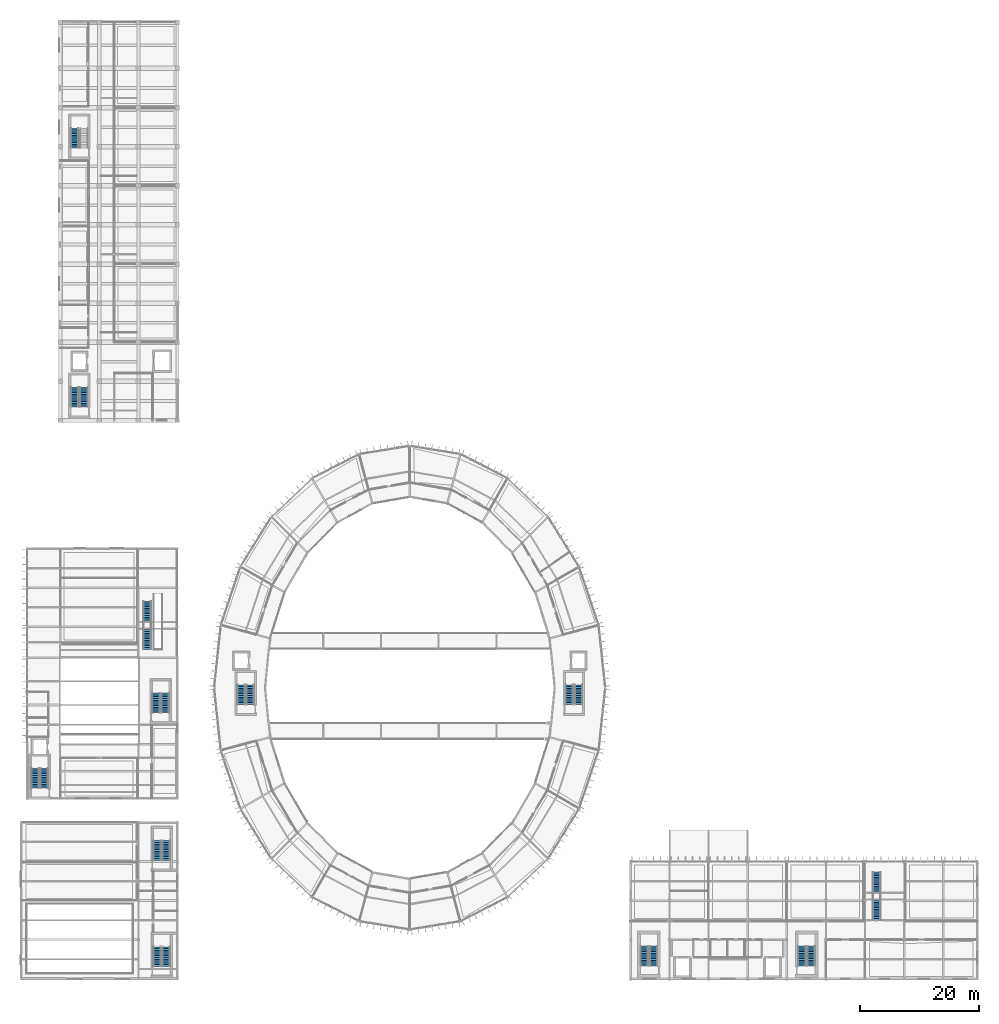
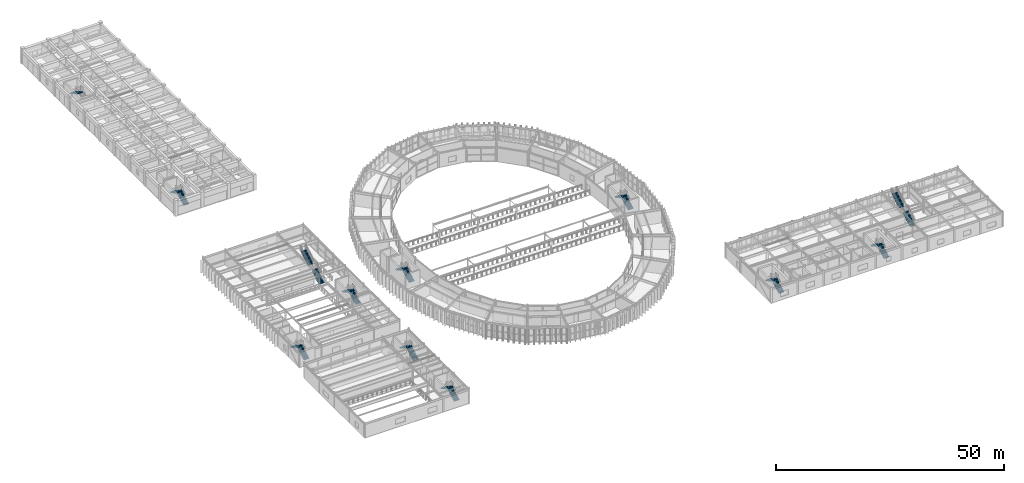
# One storey, part 131 of 148: 23 stair flights, 12 elements without a shape of their own.
"""IFC4 building model written with IfcOpenShell, lengths in metres."""

from ifc_helpers import new_model, si_unit, direction, frame, origin, place, context, subcontext, project, spatial, polyline, outline, extrude, material, type_object, element, aggregate, save


model = new_model("IFC4")

# Units and contexts
model_context = context("Model", 3, precision=1e-05, world=origin(), true_north=direction((0.0, 1.0)))
body_context = subcontext(model_context, "Body", "Model", "MODEL_VIEW")
ifc_project = project(units=[si_unit("LENGTHUNIT", "METRE"), si_unit("AREAUNIT", "SQUARE_METRE"), si_unit("VOLUMEUNIT", "CUBIC_METRE"), si_unit("PLANEANGLEUNIT", "RADIAN"), si_unit("MASSUNIT", "GRAM", prefix="KILO")], contexts=[model_context])

# Site, building, storey
site_placement = place(None, origin())
site = spatial("IfcSite", under=ifc_project, at=site_placement, CompositionType="ELEMENT")
building_placement = place(site_placement, origin())
building = spatial("IfcBuilding", under=site, at=building_placement, Name="Karori Crest Natural Sciences Institute", CompositionType="ELEMENT")
storey_placement = place(building_placement, frame((0.0, 0.0, 4.89990234375)))
storey = spatial("IfcBuildingStorey", under=building, at=storey_placement, Name="L01", CompositionType="ELEMENT", Elevation=4.89990234375)

# Stair, stair flights
ifc_material = material(Name="Concrete 40 MPa", Category="concrete")
stair_type_1 = type_object("IfcStairType", Name="STT-01", PredefinedType="HALF_TURN_STAIR", material=ifc_material)
stair_1_placement = place(storey_placement, origin())
stair_1 = element("IfcStair", 1, at=stair_1_placement, inside=storey, type_object=stair_type_1, Name="Protected stair ST-01-L01", PredefinedType="HALF_TURN_STAIR")
stair_flight_type = type_object("IfcStairFlightType", Name="SFT-01", PredefinedType="STRAIGHT", material=ifc_material)
stair_flight_1_placement = place(storey_placement, frame((94.875, 47.10009765625, 0.0), z_axis=(0.0, 0.0, 1.0), x_axis=(0.0, 1.0, 0.0)))
stair_flight_1 = element("IfcStairFlight", 2, at=stair_flight_1_placement, type_object=stair_flight_type, Name="ST-01-L01 flight 1", NumberOfRisers=12, NumberOfTreads=11, PredefinedType="STRAIGHT", RiserHeight=0.175, TreadLength=0.3, context=body_context, shape_type="SweptSolid", body=[
    extrude(outline(polyline([(0.0, 0.0), (0.0, 0.175048828125), (0.300048828125, 0.175048828125), (0.300048828125, 0.35009765625), (0.60009765625, 0.35009765625), (0.60009765625, 0.52490234375), (0.89990234375, 0.52490234375), (0.89990234375, 0.699951171875), (1.199951171875, 0.699951171875), (1.199951171875, 0.875), (1.5, 0.875), (1.5, 1.050048828125), (1.800048828125, 1.050048828125), (1.800048828125, 1.22509765625), (2.10009765625, 1.22509765625), (2.10009765625, 1.39990234375), (2.39990234375, 1.39990234375), (2.39990234375, 1.574951171875), (2.699951171875, 1.574951171875), (2.699951171875, 1.75), (3.0, 1.75), (3.0, 1.925048828125), (3.300048828125, 1.925048828125), (3.300048828125, 2.10009765625), (3.300048828125, 1.739990234375), (0.3173828125, 0.0), (0.0, 0.0)])), frame((0.0, 0.675048828125, 0.0), z_axis=(0.0, -1.0, 0.0), x_axis=(1.0, 0.0, 0.0)), (0.0, 0.0, 1.0), 1.35009765625),
])
stair_flight_2_placement = place(storey_placement, frame((93.324951171875, 50.39990234375, 2.10009765625), z_axis=(0.0, 0.0, 1.0), x_axis=(0.0, -1.0, 0.0)))
stair_flight_2 = element("IfcStairFlight", 3, at=stair_flight_2_placement, type_object=stair_flight_type, Name="ST-01-L01 flight 2", NumberOfRisers=12, NumberOfTreads=11, PredefinedType="STRAIGHT", RiserHeight=0.175, TreadLength=0.3, context=body_context, shape_type="SweptSolid", body=[
    extrude(outline(polyline([(0.0, 0.0), (0.0, 0.175048828125), (0.300048828125, 0.175048828125), (0.300048828125, 0.35009765625), (0.60009765625, 0.35009765625), (0.60009765625, 0.52490234375), (0.89990234375, 0.52490234375), (0.89990234375, 0.699951171875), (1.199951171875, 0.699951171875), (1.199951171875, 0.875), (1.5, 0.875), (1.5, 1.050048828125), (1.800048828125, 1.050048828125), (1.800048828125, 1.22509765625), (2.10009765625, 1.22509765625), (2.10009765625, 1.39990234375), (2.39990234375, 1.39990234375), (2.39990234375, 1.574951171875), (2.699951171875, 1.574951171875), (2.699951171875, 1.75), (3.0, 1.75), (3.0, 1.925048828125), (3.300048828125, 1.925048828125), (3.300048828125, 2.10009765625), (3.300048828125, 1.739990234375), (0.3173828125, 0.0), (0.0, 0.0)])), frame((0.0, 0.675048828125, 0.0), z_axis=(0.0, -1.0, 0.0), x_axis=(1.0, 0.0, 0.0)), (0.0, 0.0, 1.0), 1.35009765625),
])
aggregate(stair_1, [stair_flight_1, stair_flight_2])

stair_2_placement = place(storey_placement, origin())
stair_2 = element("IfcStair", 4, at=stair_2_placement, inside=storey, type_object=stair_type_1, Name="Protected stair ST-02-L01", PredefinedType="HALF_TURN_STAIR")
stair_flight_3_placement = place(storey_placement, frame((39.47509765625, 47.10009765625, 0.0), z_axis=(0.0, 0.0, 1.0), x_axis=(0.0, 1.0, 0.0)))
stair_flight_3 = element("IfcStairFlight", 5, at=stair_flight_3_placement, type_object=stair_flight_type, Name="ST-02-L01 flight 1", NumberOfRisers=12, NumberOfTreads=11, PredefinedType="STRAIGHT", RiserHeight=0.175, TreadLength=0.3, context=body_context, shape_type="SweptSolid", body=[
    extrude(outline(polyline([(0.0, 0.0), (0.0, 0.175048828125), (0.300048828125, 0.175048828125), (0.300048828125, 0.35009765625), (0.60009765625, 0.35009765625), (0.60009765625, 0.52490234375), (0.89990234375, 0.52490234375), (0.89990234375, 0.699951171875), (1.199951171875, 0.699951171875), (1.199951171875, 0.875), (1.5, 0.875), (1.5, 1.050048828125), (1.800048828125, 1.050048828125), (1.800048828125, 1.22509765625), (2.10009765625, 1.22509765625), (2.10009765625, 1.39990234375), (2.39990234375, 1.39990234375), (2.39990234375, 1.574951171875), (2.699951171875, 1.574951171875), (2.699951171875, 1.75), (3.0, 1.75), (3.0, 1.925048828125), (3.300048828125, 1.925048828125), (3.300048828125, 2.10009765625), (3.300048828125, 1.739990234375), (0.3173828125, 0.0), (0.0, 0.0)])), frame((0.0, 0.675048828125, 0.0), z_axis=(0.0, -1.0, 0.0), x_axis=(1.0, 0.0, 0.0)), (0.0, 0.0, 1.0), 1.35009765625),
])
stair_flight_4_placement = place(storey_placement, frame((37.925048828125, 50.39990234375, 2.10009765625), z_axis=(0.0, 0.0, 1.0), x_axis=(0.0, -1.0, 0.0)))
stair_flight_4 = element("IfcStairFlight", 6, at=stair_flight_4_placement, type_object=stair_flight_type, Name="ST-02-L01 flight 2", NumberOfRisers=12, NumberOfTreads=11, PredefinedType="STRAIGHT", RiserHeight=0.175, TreadLength=0.3, context=body_context, shape_type="SweptSolid", body=[
    extrude(outline(polyline([(0.0, 0.0), (0.0, 0.175048828125), (0.300048828125, 0.175048828125), (0.300048828125, 0.35009765625), (0.60009765625, 0.35009765625), (0.60009765625, 0.52490234375), (0.89990234375, 0.52490234375), (0.89990234375, 0.699951171875), (1.199951171875, 0.699951171875), (1.199951171875, 0.875), (1.5, 0.875), (1.5, 1.050048828125), (1.800048828125, 1.050048828125), (1.800048828125, 1.22509765625), (2.10009765625, 1.22509765625), (2.10009765625, 1.39990234375), (2.39990234375, 1.39990234375), (2.39990234375, 1.574951171875), (2.699951171875, 1.574951171875), (2.699951171875, 1.75), (3.0, 1.75), (3.0, 1.925048828125), (3.300048828125, 1.925048828125), (3.300048828125, 2.10009765625), (3.300048828125, 1.739990234375), (0.3173828125, 0.0), (0.0, 0.0)])), frame((0.0, 0.675048828125, 0.0), z_axis=(0.0, -1.0, 0.0), x_axis=(1.0, 0.0, 0.0)), (0.0, 0.0, 1.0), 1.35009765625),
])
aggregate(stair_2, [stair_flight_3, stair_flight_4])

stair_3_placement = place(storey_placement, origin())
stair_3 = element("IfcStair", 7, at=stair_3_placement, inside=storey, type_object=stair_type_1, Name="Protected stair ST-03-L01", PredefinedType="HALF_TURN_STAIR")
stair_flight_5_placement = place(storey_placement, frame((107.52490234375, 3.0, 0.0), z_axis=(0.0, 0.0, 1.0), x_axis=(0.0, 1.0, 0.0)))
stair_flight_5 = element("IfcStairFlight", 8, at=stair_flight_5_placement, type_object=stair_flight_type, Name="ST-03-L01 flight 1", NumberOfRisers=12, NumberOfTreads=11, PredefinedType="STRAIGHT", RiserHeight=0.175, TreadLength=0.3, context=body_context, shape_type="SweptSolid", body=[
    extrude(outline(polyline([(0.0, 0.0), (0.0, 0.175048828125), (0.300048828125, 0.175048828125), (0.300048828125, 0.35009765625), (0.60009765625, 0.35009765625), (0.60009765625, 0.52490234375), (0.89990234375, 0.52490234375), (0.89990234375, 0.699951171875), (1.199951171875, 0.699951171875), (1.199951171875, 0.875), (1.5, 0.875), (1.5, 1.050048828125), (1.800048828125, 1.050048828125), (1.800048828125, 1.22509765625), (2.10009765625, 1.22509765625), (2.10009765625, 1.39990234375), (2.39990234375, 1.39990234375), (2.39990234375, 1.574951171875), (2.699951171875, 1.574951171875), (2.699951171875, 1.75), (3.0, 1.75), (3.0, 1.925048828125), (3.300048828125, 1.925048828125), (3.300048828125, 2.10009765625), (3.300048828125, 1.739990234375), (0.3173828125, 0.0), (0.0, 0.0)])), frame((0.0, 0.675048828125, 0.0), z_axis=(0.0, -1.0, 0.0), x_axis=(1.0, 0.0, 0.0)), (0.0, 0.0, 1.0), 1.35009765625),
])
stair_flight_6_placement = place(storey_placement, frame((105.97509765625, 6.300048828125, 2.10009765625), z_axis=(0.0, 0.0, 1.0), x_axis=(0.0, -1.0, 0.0)))
stair_flight_6 = element("IfcStairFlight", 9, at=stair_flight_6_placement, type_object=stair_flight_type, Name="ST-03-L01 flight 2", NumberOfRisers=12, NumberOfTreads=11, PredefinedType="STRAIGHT", RiserHeight=0.175, TreadLength=0.3, context=body_context, shape_type="SweptSolid", body=[
    extrude(outline(polyline([(0.0, 0.0), (0.0, 0.175048828125), (0.300048828125, 0.175048828125), (0.300048828125, 0.35009765625), (0.60009765625, 0.35009765625), (0.60009765625, 0.52490234375), (0.89990234375, 0.52490234375), (0.89990234375, 0.699951171875), (1.199951171875, 0.699951171875), (1.199951171875, 0.875), (1.5, 0.875), (1.5, 1.050048828125), (1.800048828125, 1.050048828125), (1.800048828125, 1.22509765625), (2.10009765625, 1.22509765625), (2.10009765625, 1.39990234375), (2.39990234375, 1.39990234375), (2.39990234375, 1.574951171875), (2.699951171875, 1.574951171875), (2.699951171875, 1.75), (3.0, 1.75), (3.0, 1.925048828125), (3.300048828125, 1.925048828125), (3.300048828125, 2.10009765625), (3.300048828125, 1.739990234375), (0.3173828125, 0.0), (0.0, 0.0)])), frame((0.0, 0.675048828125, 0.0), z_axis=(0.0, -1.0, 0.0), x_axis=(1.0, 0.0, 0.0)), (0.0, 0.0, 1.0), 1.35009765625),
])
aggregate(stair_3, [stair_flight_5, stair_flight_6])

stair_4_placement = place(storey_placement, origin())
stair_4 = element("IfcStair", 10, at=stair_4_placement, inside=storey, type_object=stair_type_1, Name="Protected stair ST-04-L01", PredefinedType="HALF_TURN_STAIR")
stair_flight_7_placement = place(storey_placement, frame((134.125, 3.0, 0.0), z_axis=(0.0, 0.0, 1.0), x_axis=(0.0, 1.0, 0.0)))
stair_flight_7 = element("IfcStairFlight", 11, at=stair_flight_7_placement, type_object=stair_flight_type, Name="ST-04-L01 flight 1", NumberOfRisers=12, NumberOfTreads=11, PredefinedType="STRAIGHT", RiserHeight=0.175, TreadLength=0.3, context=body_context, shape_type="SweptSolid", body=[
    extrude(outline(polyline([(0.0, 0.0), (0.0, 0.175048828125), (0.300048828125, 0.175048828125), (0.300048828125, 0.35009765625), (0.60009765625, 0.35009765625), (0.60009765625, 0.52490234375), (0.89990234375, 0.52490234375), (0.89990234375, 0.699951171875), (1.199951171875, 0.699951171875), (1.199951171875, 0.875), (1.5, 0.875), (1.5, 1.050048828125), (1.800048828125, 1.050048828125), (1.800048828125, 1.22509765625), (2.10009765625, 1.22509765625), (2.10009765625, 1.39990234375), (2.39990234375, 1.39990234375), (2.39990234375, 1.574951171875), (2.699951171875, 1.574951171875), (2.699951171875, 1.75), (3.0, 1.75), (3.0, 1.925048828125), (3.300048828125, 1.925048828125), (3.300048828125, 2.10009765625), (3.300048828125, 1.739990234375), (0.3173828125, 0.0), (0.0, 0.0)])), frame((0.0, 0.675048828125, 0.0), z_axis=(0.0, -1.0, 0.0), x_axis=(1.0, 0.0, 0.0)), (0.0, 0.0, 1.0), 1.35009765625),
])
stair_flight_8_placement = place(storey_placement, frame((132.574951171875, 6.300048828125, 2.10009765625), z_axis=(0.0, 0.0, 1.0), x_axis=(0.0, -1.0, 0.0)))
stair_flight_8 = element("IfcStairFlight", 12, at=stair_flight_8_placement, type_object=stair_flight_type, Name="ST-04-L01 flight 2", NumberOfRisers=12, NumberOfTreads=11, PredefinedType="STRAIGHT", RiserHeight=0.175, TreadLength=0.3, context=body_context, shape_type="SweptSolid", body=[
    extrude(outline(polyline([(0.0, 0.0), (0.0, 0.175048828125), (0.300048828125, 0.175048828125), (0.300048828125, 0.35009765625), (0.60009765625, 0.35009765625), (0.60009765625, 0.52490234375), (0.89990234375, 0.52490234375), (0.89990234375, 0.699951171875), (1.199951171875, 0.699951171875), (1.199951171875, 0.875), (1.5, 0.875), (1.5, 1.050048828125), (1.800048828125, 1.050048828125), (1.800048828125, 1.22509765625), (2.10009765625, 1.22509765625), (2.10009765625, 1.39990234375), (2.39990234375, 1.39990234375), (2.39990234375, 1.574951171875), (2.699951171875, 1.574951171875), (2.699951171875, 1.75), (3.0, 1.75), (3.0, 1.925048828125), (3.300048828125, 1.925048828125), (3.300048828125, 2.10009765625), (3.300048828125, 1.739990234375), (0.3173828125, 0.0), (0.0, 0.0)])), frame((0.0, 0.675048828125, 0.0), z_axis=(0.0, -1.0, 0.0), x_axis=(1.0, 0.0, 0.0)), (0.0, 0.0, 1.0), 1.35009765625),
])
aggregate(stair_4, [stair_flight_7, stair_flight_8])

stair_5_placement = place(storey_placement, origin())
stair_5 = element("IfcStair", 13, at=stair_5_placement, inside=storey, type_object=stair_type_1, Name="Protected stair ST-05-L01", PredefinedType="HALF_TURN_STAIR")
stair_flight_9_placement = place(storey_placement, frame((11.425048828125, 97.300048828125, 0.0), z_axis=(0.0, 0.0, 1.0), x_axis=(0.0, 1.0, 0.0)))
stair_flight_9 = element("IfcStairFlight", 14, at=stair_flight_9_placement, type_object=stair_flight_type, Name="ST-05-L01 flight 1", NumberOfRisers=12, NumberOfTreads=11, PredefinedType="STRAIGHT", RiserHeight=0.175, TreadLength=0.3, context=body_context, shape_type="SweptSolid", body=[
    extrude(outline(polyline([(0.0, 0.0), (0.0, 0.175048828125), (0.300048828125, 0.175048828125), (0.300048828125, 0.35009765625), (0.60009765625, 0.35009765625), (0.60009765625, 0.52490234375), (0.89990234375, 0.52490234375), (0.89990234375, 0.699951171875), (1.199951171875, 0.699951171875), (1.199951171875, 0.875), (1.5, 0.875), (1.5, 1.050048828125), (1.800048828125, 1.050048828125), (1.800048828125, 1.22509765625), (2.10009765625, 1.22509765625), (2.10009765625, 1.39990234375), (2.39990234375, 1.39990234375), (2.39990234375, 1.574951171875), (2.699951171875, 1.574951171875), (2.699951171875, 1.75), (3.0, 1.75), (3.0, 1.925048828125), (3.300048828125, 1.925048828125), (3.300048828125, 2.10009765625), (3.300048828125, 1.739990234375), (0.3173828125, 0.0), (0.0, 0.0)])), frame((0.0, 0.675048828125, 0.0), z_axis=(0.0, -1.0, 0.0), x_axis=(1.0, 0.0, 0.0)), (0.0, 0.0, 1.0), 1.35009765625),
])
stair_flight_10_placement = place(storey_placement, frame((9.875, 100.60009765625, 2.10009765625), z_axis=(0.0, 0.0, 1.0), x_axis=(0.0, -1.0, 0.0)))
stair_flight_10 = element("IfcStairFlight", 15, at=stair_flight_10_placement, type_object=stair_flight_type, Name="ST-05-L01 flight 2", NumberOfRisers=12, NumberOfTreads=11, PredefinedType="STRAIGHT", RiserHeight=0.175, TreadLength=0.3, context=body_context, shape_type="SweptSolid", body=[
    extrude(outline(polyline([(0.0, 0.0), (0.0, 0.175048828125), (0.300048828125, 0.175048828125), (0.300048828125, 0.35009765625), (0.60009765625, 0.35009765625), (0.60009765625, 0.52490234375), (0.89990234375, 0.52490234375), (0.89990234375, 0.699951171875), (1.199951171875, 0.699951171875), (1.199951171875, 0.875), (1.5, 0.875), (1.5, 1.050048828125), (1.800048828125, 1.050048828125), (1.800048828125, 1.22509765625), (2.10009765625, 1.22509765625), (2.10009765625, 1.39990234375), (2.39990234375, 1.39990234375), (2.39990234375, 1.574951171875), (2.699951171875, 1.574951171875), (2.699951171875, 1.75), (3.0, 1.75), (3.0, 1.925048828125), (3.300048828125, 1.925048828125), (3.300048828125, 2.10009765625), (3.300048828125, 1.739990234375), (0.3173828125, 0.0), (0.0, 0.0)])), frame((0.0, 0.675048828125, 0.0), z_axis=(0.0, -1.0, 0.0), x_axis=(1.0, 0.0, 0.0)), (0.0, 0.0, 1.0), 1.35009765625),
])
aggregate(stair_5, [stair_flight_9, stair_flight_10])

# Stair, stair flight
stair_6_placement = place(storey_placement, origin())
stair_6 = element("IfcStair", 16, at=stair_6_placement, inside=storey, type_object=stair_type_1, Name="Protected stair ST-06-L01", PredefinedType="HALF_TURN_STAIR")
stair_flight_11_placement = place(storey_placement, frame((9.875, 144.300048828125, 2.10009765625), z_axis=(0.0, 0.0, 1.0), x_axis=(0.0, -1.0, 0.0)))
stair_flight_11 = element("IfcStairFlight", 17, at=stair_flight_11_placement, type_object=stair_flight_type, Name="ST-06-L01 flight 2", NumberOfRisers=12, NumberOfTreads=11, PredefinedType="STRAIGHT", RiserHeight=0.175, TreadLength=0.3, context=body_context, shape_type="SweptSolid", body=[
    extrude(outline(polyline([(0.0, 0.0), (0.0, 0.175048828125), (0.300048828125, 0.175048828125), (0.300048828125, 0.35009765625), (0.60009765625, 0.35009765625), (0.60009765625, 0.52490234375), (0.89990234375, 0.52490234375), (0.89990234375, 0.699951171875), (1.199951171875, 0.699951171875), (1.199951171875, 0.875), (1.5, 0.875), (1.5, 1.050048828125), (1.800048828125, 1.050048828125), (1.800048828125, 1.22509765625), (2.10009765625, 1.22509765625), (2.10009765625, 1.39990234375), (2.39990234375, 1.39990234375), (2.39990234375, 1.574951171875), (2.699951171875, 1.574951171875), (2.699951171875, 1.75), (3.0, 1.75), (3.0, 1.925048828125), (3.300048828125, 1.925048828125), (3.300048828125, 2.10009765625), (3.300048828125, 1.739990234375), (0.3173828125, 0.0), (0.0, 0.0)])), frame((0.0, 0.675048828125, 0.0), z_axis=(0.0, -1.0, 0.0), x_axis=(1.0, 0.0, 0.0)), (0.0, 0.0, 1.0), 1.35009765625),
])
aggregate(stair_6, [stair_flight_11])

# Stair, stair flights
stair_7_placement = place(storey_placement, origin())
stair_7 = element("IfcStair", 18, at=stair_7_placement, inside=storey, type_object=stair_type_1, Name="Protected stair ST-07-L01", PredefinedType="HALF_TURN_STAIR")
stair_flight_12_placement = place(storey_placement, frame((4.72509765625, 33.0, 0.0), z_axis=(0.0, 0.0, 1.0), x_axis=(0.0, 1.0, 0.0)))
stair_flight_12 = element("IfcStairFlight", 19, at=stair_flight_12_placement, type_object=stair_flight_type, Name="ST-07-L01 flight 1", NumberOfRisers=12, NumberOfTreads=11, PredefinedType="STRAIGHT", RiserHeight=0.175, TreadLength=0.3, context=body_context, shape_type="SweptSolid", body=[
    extrude(outline(polyline([(0.0, 0.0), (0.0, 0.175048828125), (0.300048828125, 0.175048828125), (0.300048828125, 0.35009765625), (0.60009765625, 0.35009765625), (0.60009765625, 0.52490234375), (0.89990234375, 0.52490234375), (0.89990234375, 0.699951171875), (1.199951171875, 0.699951171875), (1.199951171875, 0.875), (1.5, 0.875), (1.5, 1.050048828125), (1.800048828125, 1.050048828125), (1.800048828125, 1.22509765625), (2.10009765625, 1.22509765625), (2.10009765625, 1.39990234375), (2.39990234375, 1.39990234375), (2.39990234375, 1.574951171875), (2.699951171875, 1.574951171875), (2.699951171875, 1.75), (3.0, 1.75), (3.0, 1.925048828125), (3.300048828125, 1.925048828125), (3.300048828125, 2.10009765625), (3.300048828125, 1.739990234375), (0.3173828125, 0.0), (0.0, 0.0)])), frame((0.0, 0.675048828125, 0.0), z_axis=(0.0, -1.0, 0.0), x_axis=(1.0, 0.0, 0.0)), (0.0, 0.0, 1.0), 1.35009765625),
])
stair_flight_13_placement = place(storey_placement, frame((3.175048828125, 36.300048828125, 2.10009765625), z_axis=(0.0, 0.0, 1.0), x_axis=(0.0, -1.0, 0.0)))
stair_flight_13 = element("IfcStairFlight", 20, at=stair_flight_13_placement, type_object=stair_flight_type, Name="ST-07-L01 flight 2", NumberOfRisers=12, NumberOfTreads=11, PredefinedType="STRAIGHT", RiserHeight=0.175, TreadLength=0.3, context=body_context, shape_type="SweptSolid", body=[
    extrude(outline(polyline([(0.0, 0.0), (0.0, 0.175048828125), (0.300048828125, 0.175048828125), (0.300048828125, 0.35009765625), (0.60009765625, 0.35009765625), (0.60009765625, 0.52490234375), (0.89990234375, 0.52490234375), (0.89990234375, 0.699951171875), (1.199951171875, 0.699951171875), (1.199951171875, 0.875), (1.5, 0.875), (1.5, 1.050048828125), (1.800048828125, 1.050048828125), (1.800048828125, 1.22509765625), (2.10009765625, 1.22509765625), (2.10009765625, 1.39990234375), (2.39990234375, 1.39990234375), (2.39990234375, 1.574951171875), (2.699951171875, 1.574951171875), (2.699951171875, 1.75), (3.0, 1.75), (3.0, 1.925048828125), (3.300048828125, 1.925048828125), (3.300048828125, 2.10009765625), (3.300048828125, 1.739990234375), (0.3173828125, 0.0), (0.0, 0.0)])), frame((0.0, 0.675048828125, 0.0), z_axis=(0.0, -1.0, 0.0), x_axis=(1.0, 0.0, 0.0)), (0.0, 0.0, 1.0), 1.35009765625),
])
aggregate(stair_7, [stair_flight_12, stair_flight_13])

stair_8_placement = place(storey_placement, origin())
stair_8 = element("IfcStair", 21, at=stair_8_placement, inside=storey, type_object=stair_type_1, Name="Protected stair ST-08-L01", PredefinedType="HALF_TURN_STAIR")
stair_flight_14_placement = place(storey_placement, frame((25.125, 45.699951171875, 0.0), z_axis=(0.0, 0.0, 1.0), x_axis=(0.0, 1.0, 0.0)))
stair_flight_14 = element("IfcStairFlight", 22, at=stair_flight_14_placement, type_object=stair_flight_type, Name="ST-08-L01 flight 1", NumberOfRisers=12, NumberOfTreads=11, PredefinedType="STRAIGHT", RiserHeight=0.175, TreadLength=0.3, context=body_context, shape_type="SweptSolid", body=[
    extrude(outline(polyline([(0.0, 0.0), (0.0, 0.175048828125), (0.300048828125, 0.175048828125), (0.300048828125, 0.35009765625), (0.60009765625, 0.35009765625), (0.60009765625, 0.52490234375), (0.89990234375, 0.52490234375), (0.89990234375, 0.699951171875), (1.199951171875, 0.699951171875), (1.199951171875, 0.875), (1.5, 0.875), (1.5, 1.050048828125), (1.800048828125, 1.050048828125), (1.800048828125, 1.22509765625), (2.10009765625, 1.22509765625), (2.10009765625, 1.39990234375), (2.39990234375, 1.39990234375), (2.39990234375, 1.574951171875), (2.699951171875, 1.574951171875), (2.699951171875, 1.75), (3.0, 1.75), (3.0, 1.925048828125), (3.300048828125, 1.925048828125), (3.300048828125, 2.10009765625), (3.300048828125, 1.739990234375), (0.3173828125, 0.0), (0.0, 0.0)])), frame((0.0, 0.675048828125, 0.0), z_axis=(0.0, -1.0, 0.0), x_axis=(1.0, 0.0, 0.0)), (0.0, 0.0, 1.0), 1.35009765625),
])
stair_flight_15_placement = place(storey_placement, frame((23.574951171875, 49.0, 2.10009765625), z_axis=(0.0, 0.0, 1.0), x_axis=(0.0, -1.0, 0.0)))
stair_flight_15 = element("IfcStairFlight", 23, at=stair_flight_15_placement, type_object=stair_flight_type, Name="ST-08-L01 flight 2", NumberOfRisers=12, NumberOfTreads=11, PredefinedType="STRAIGHT", RiserHeight=0.175, TreadLength=0.3, context=body_context, shape_type="SweptSolid", body=[
    extrude(outline(polyline([(0.0, 0.0), (0.0, 0.175048828125), (0.300048828125, 0.175048828125), (0.300048828125, 0.35009765625), (0.60009765625, 0.35009765625), (0.60009765625, 0.52490234375), (0.89990234375, 0.52490234375), (0.89990234375, 0.699951171875), (1.199951171875, 0.699951171875), (1.199951171875, 0.875), (1.5, 0.875), (1.5, 1.050048828125), (1.800048828125, 1.050048828125), (1.800048828125, 1.22509765625), (2.10009765625, 1.22509765625), (2.10009765625, 1.39990234375), (2.39990234375, 1.39990234375), (2.39990234375, 1.574951171875), (2.699951171875, 1.574951171875), (2.699951171875, 1.75), (3.0, 1.75), (3.0, 1.925048828125), (3.300048828125, 1.925048828125), (3.300048828125, 2.10009765625), (3.300048828125, 1.739990234375), (0.3173828125, 0.0), (0.0, 0.0)])), frame((0.0, 0.675048828125, 0.0), z_axis=(0.0, -1.0, 0.0), x_axis=(1.0, 0.0, 0.0)), (0.0, 0.0, 1.0), 1.35009765625),
])
aggregate(stair_8, [stair_flight_14, stair_flight_15])

stair_9_placement = place(storey_placement, origin())
stair_9 = element("IfcStair", 24, at=stair_9_placement, inside=storey, type_object=stair_type_1, Name="Protected stair ST-09-L01", PredefinedType="HALF_TURN_STAIR")
stair_flight_16_placement = place(storey_placement, frame((25.324951171875, 2.89990234375, 0.0), z_axis=(0.0, 0.0, 1.0), x_axis=(0.0, 1.0, 0.0)))
stair_flight_16 = element("IfcStairFlight", 25, at=stair_flight_16_placement, type_object=stair_flight_type, Name="ST-09-L01 flight 1", NumberOfRisers=12, NumberOfTreads=11, PredefinedType="STRAIGHT", RiserHeight=0.175, TreadLength=0.3, context=body_context, shape_type="SweptSolid", body=[
    extrude(outline(polyline([(0.0, 0.0), (0.0, 0.175048828125), (0.300048828125, 0.175048828125), (0.300048828125, 0.35009765625), (0.60009765625, 0.35009765625), (0.60009765625, 0.52490234375), (0.89990234375, 0.52490234375), (0.89990234375, 0.699951171875), (1.199951171875, 0.699951171875), (1.199951171875, 0.875), (1.5, 0.875), (1.5, 1.050048828125), (1.800048828125, 1.050048828125), (1.800048828125, 1.22509765625), (2.10009765625, 1.22509765625), (2.10009765625, 1.39990234375), (2.39990234375, 1.39990234375), (2.39990234375, 1.574951171875), (2.699951171875, 1.574951171875), (2.699951171875, 1.75), (3.0, 1.75), (3.0, 1.925048828125), (3.300048828125, 1.925048828125), (3.300048828125, 2.10009765625), (3.300048828125, 1.739990234375), (0.3173828125, 0.0), (0.0, 0.0)])), frame((0.0, 0.675048828125, 0.0), z_axis=(0.0, -1.0, 0.0), x_axis=(1.0, 0.0, 0.0)), (0.0, 0.0, 1.0), 1.35009765625),
])
stair_flight_17_placement = place(storey_placement, frame((23.77490234375, 6.199951171875, 2.10009765625), z_axis=(0.0, 0.0, 1.0), x_axis=(0.0, -1.0, 0.0)))
stair_flight_17 = element("IfcStairFlight", 26, at=stair_flight_17_placement, type_object=stair_flight_type, Name="ST-09-L01 flight 2", NumberOfRisers=12, NumberOfTreads=11, PredefinedType="STRAIGHT", RiserHeight=0.175, TreadLength=0.3, context=body_context, shape_type="SweptSolid", body=[
    extrude(outline(polyline([(0.0, 0.0), (0.0, 0.175048828125), (0.300048828125, 0.175048828125), (0.300048828125, 0.35009765625), (0.60009765625, 0.35009765625), (0.60009765625, 0.52490234375), (0.89990234375, 0.52490234375), (0.89990234375, 0.699951171875), (1.199951171875, 0.699951171875), (1.199951171875, 0.875), (1.5, 0.875), (1.5, 1.050048828125), (1.800048828125, 1.050048828125), (1.800048828125, 1.22509765625), (2.10009765625, 1.22509765625), (2.10009765625, 1.39990234375), (2.39990234375, 1.39990234375), (2.39990234375, 1.574951171875), (2.699951171875, 1.574951171875), (2.699951171875, 1.75), (3.0, 1.75), (3.0, 1.925048828125), (3.300048828125, 1.925048828125), (3.300048828125, 2.10009765625), (3.300048828125, 1.739990234375), (0.3173828125, 0.0), (0.0, 0.0)])), frame((0.0, 0.675048828125, 0.0), z_axis=(0.0, -1.0, 0.0), x_axis=(1.0, 0.0, 0.0)), (0.0, 0.0, 1.0), 1.35009765625),
])
aggregate(stair_9, [stair_flight_16, stair_flight_17])

stair_10_placement = place(storey_placement, origin())
stair_10 = element("IfcStair", 27, at=stair_10_placement, inside=storey, type_object=stair_type_1, Name="Protected stair ST-10-L01", PredefinedType="HALF_TURN_STAIR")
stair_flight_18_placement = place(storey_placement, frame((25.324951171875, 20.800048828125, 0.0), z_axis=(0.0, 0.0, 1.0), x_axis=(0.0, 1.0, 0.0)))
stair_flight_18 = element("IfcStairFlight", 28, at=stair_flight_18_placement, type_object=stair_flight_type, Name="ST-10-L01 flight 1", NumberOfRisers=12, NumberOfTreads=11, PredefinedType="STRAIGHT", RiserHeight=0.175, TreadLength=0.3, context=body_context, shape_type="SweptSolid", body=[
    extrude(outline(polyline([(0.0, 0.0), (0.0, 0.175048828125), (0.300048828125, 0.175048828125), (0.300048828125, 0.35009765625), (0.60009765625, 0.35009765625), (0.60009765625, 0.52490234375), (0.89990234375, 0.52490234375), (0.89990234375, 0.699951171875), (1.199951171875, 0.699951171875), (1.199951171875, 0.875), (1.5, 0.875), (1.5, 1.050048828125), (1.800048828125, 1.050048828125), (1.800048828125, 1.22509765625), (2.10009765625, 1.22509765625), (2.10009765625, 1.39990234375), (2.39990234375, 1.39990234375), (2.39990234375, 1.574951171875), (2.699951171875, 1.574951171875), (2.699951171875, 1.75), (3.0, 1.75), (3.0, 1.925048828125), (3.300048828125, 1.925048828125), (3.300048828125, 2.10009765625), (3.300048828125, 1.739990234375), (0.3173828125, 0.0), (0.0, 0.0)])), frame((0.0, 0.675048828125, 0.0), z_axis=(0.0, -1.0, 0.0), x_axis=(1.0, 0.0, 0.0)), (0.0, 0.0, 1.0), 1.35009765625),
])
stair_flight_19_placement = place(storey_placement, frame((23.77490234375, 24.10009765625, 2.10009765625), z_axis=(0.0, 0.0, 1.0), x_axis=(0.0, -1.0, 0.0)))
stair_flight_19 = element("IfcStairFlight", 29, at=stair_flight_19_placement, type_object=stair_flight_type, Name="ST-10-L01 flight 2", NumberOfRisers=12, NumberOfTreads=11, PredefinedType="STRAIGHT", RiserHeight=0.175, TreadLength=0.3, context=body_context, shape_type="SweptSolid", body=[
    extrude(outline(polyline([(0.0, 0.0), (0.0, 0.175048828125), (0.300048828125, 0.175048828125), (0.300048828125, 0.35009765625), (0.60009765625, 0.35009765625), (0.60009765625, 0.52490234375), (0.89990234375, 0.52490234375), (0.89990234375, 0.699951171875), (1.199951171875, 0.699951171875), (1.199951171875, 0.875), (1.5, 0.875), (1.5, 1.050048828125), (1.800048828125, 1.050048828125), (1.800048828125, 1.22509765625), (2.10009765625, 1.22509765625), (2.10009765625, 1.39990234375), (2.39990234375, 1.39990234375), (2.39990234375, 1.574951171875), (2.699951171875, 1.574951171875), (2.699951171875, 1.75), (3.0, 1.75), (3.0, 1.925048828125), (3.300048828125, 1.925048828125), (3.300048828125, 2.10009765625), (3.300048828125, 1.739990234375), (0.3173828125, 0.0), (0.0, 0.0)])), frame((0.0, 0.675048828125, 0.0), z_axis=(0.0, -1.0, 0.0), x_axis=(1.0, 0.0, 0.0)), (0.0, 0.0, 1.0), 1.35009765625),
])
aggregate(stair_10, [stair_flight_18, stair_flight_19])

stair_type_2 = type_object("IfcStairType", Name="STT-05", PredefinedType="STRAIGHT_RUN_STAIR", material=ifc_material)
stair_11_placement = place(storey_placement, origin())
stair_11 = element("IfcStair", 30, at=stair_11_placement, inside=storey, type_object=stair_type_2, Name="Feature straight stair ST-12", PredefinedType="STRAIGHT_RUN_STAIR")
stair_flight_20_placement = place(storey_placement, frame((22.10009765625, 56.39990234375, 0.0), z_axis=(0.0, 0.0, 1.0), x_axis=(0.0, 1.0, 0.0)))
stair_flight_20 = element("IfcStairFlight", 31, at=stair_flight_20_placement, type_object=stair_flight_type, Name="ST-12 flight 1", NumberOfRisers=12, NumberOfTreads=11, PredefinedType="STRAIGHT", RiserHeight=0.175, TreadLength=0.3, context=body_context, shape_type="SweptSolid", body=[
    extrude(outline(polyline([(0.0, 0.0), (0.0, 0.175048828125), (0.300048828125, 0.175048828125), (0.300048828125, 0.35009765625), (0.60009765625, 0.35009765625), (0.60009765625, 0.52490234375), (0.89990234375, 0.52490234375), (0.89990234375, 0.699951171875), (1.199951171875, 0.699951171875), (1.199951171875, 0.875), (1.5, 0.875), (1.5, 1.050048828125), (1.800048828125, 1.050048828125), (1.800048828125, 1.22509765625), (2.10009765625, 1.22509765625), (2.10009765625, 1.39990234375), (2.39990234375, 1.39990234375), (2.39990234375, 1.574951171875), (2.699951171875, 1.574951171875), (2.699951171875, 1.75), (3.0, 1.75), (3.0, 1.925048828125), (3.300048828125, 1.925048828125), (3.300048828125, 2.10009765625), (3.300048828125, 1.739990234375), (0.3173828125, 0.0), (0.0, 0.0)])), frame((0.0, 0.675048828125, 0.0), z_axis=(0.0, -1.0, 0.0), x_axis=(1.0, 0.0, 0.0)), (0.0, 0.0, 1.0), 1.35009765625),
])
stair_flight_21_placement = place(storey_placement, frame((22.10009765625, 61.199951171875, 2.10009765625), z_axis=(0.0, 0.0, 1.0), x_axis=(0.0, 1.0, 0.0)))
stair_flight_21 = element("IfcStairFlight", 32, at=stair_flight_21_placement, type_object=stair_flight_type, Name="ST-12 flight 2", NumberOfRisers=12, NumberOfTreads=11, PredefinedType="STRAIGHT", RiserHeight=0.175, TreadLength=0.3, context=body_context, shape_type="SweptSolid", body=[
    extrude(outline(polyline([(0.0, 0.0), (0.0, 0.175048828125), (0.300048828125, 0.175048828125), (0.300048828125, 0.35009765625), (0.60009765625, 0.35009765625), (0.60009765625, 0.52490234375), (0.89990234375, 0.52490234375), (0.89990234375, 0.699951171875), (1.199951171875, 0.699951171875), (1.199951171875, 0.875), (1.5, 0.875), (1.5, 1.050048828125), (1.800048828125, 1.050048828125), (1.800048828125, 1.22509765625), (2.10009765625, 1.22509765625), (2.10009765625, 1.39990234375), (2.39990234375, 1.39990234375), (2.39990234375, 1.574951171875), (2.699951171875, 1.574951171875), (2.699951171875, 1.75), (3.0, 1.75), (3.0, 1.925048828125), (3.300048828125, 1.925048828125), (3.300048828125, 2.10009765625), (3.300048828125, 1.739990234375), (0.3173828125, 0.0), (0.0, 0.0)])), frame((0.0, 0.675048828125, 0.0), z_axis=(0.0, -1.0, 0.0), x_axis=(1.0, 0.0, 0.0)), (0.0, 0.0, 1.0), 1.35009765625),
])
aggregate(stair_11, [stair_flight_20, stair_flight_21])

stair_12_placement = place(storey_placement, origin())
stair_12 = element("IfcStair", 33, at=stair_12_placement, inside=storey, type_object=stair_type_2, Name="Feature straight stair ST-14", PredefinedType="STRAIGHT_RUN_STAIR")
stair_flight_22_placement = place(storey_placement, frame((145.199951171875, 10.699951171875, 0.0), z_axis=(0.0, 0.0, 1.0), x_axis=(0.0, 1.0, 0.0)))
stair_flight_22 = element("IfcStairFlight", 34, at=stair_flight_22_placement, type_object=stair_flight_type, Name="ST-14 flight 1", NumberOfRisers=12, NumberOfTreads=11, PredefinedType="STRAIGHT", RiserHeight=0.175, TreadLength=0.3, context=body_context, shape_type="SweptSolid", body=[
    extrude(outline(polyline([(0.0, 0.0), (0.0, 0.175048828125), (0.300048828125, 0.175048828125), (0.300048828125, 0.35009765625), (0.60009765625, 0.35009765625), (0.60009765625, 0.52490234375), (0.89990234375, 0.52490234375), (0.89990234375, 0.699951171875), (1.199951171875, 0.699951171875), (1.199951171875, 0.875), (1.5, 0.875), (1.5, 1.050048828125), (1.800048828125, 1.050048828125), (1.800048828125, 1.22509765625), (2.10009765625, 1.22509765625), (2.10009765625, 1.39990234375), (2.39990234375, 1.39990234375), (2.39990234375, 1.574951171875), (2.699951171875, 1.574951171875), (2.699951171875, 1.75), (3.0, 1.75), (3.0, 1.925048828125), (3.300048828125, 1.925048828125), (3.300048828125, 2.10009765625), (3.300048828125, 1.739990234375), (0.3173828125, 0.0), (0.0, 0.0)])), frame((0.0, 0.675048828125, 0.0), z_axis=(0.0, -1.0, 0.0), x_axis=(1.0, 0.0, 0.0)), (0.0, 0.0, 1.0), 1.35009765625),
])
stair_flight_23_placement = place(storey_placement, frame((145.199951171875, 15.5, 2.10009765625), z_axis=(0.0, 0.0, 1.0), x_axis=(0.0, 1.0, 0.0)))
stair_flight_23 = element("IfcStairFlight", 35, at=stair_flight_23_placement, type_object=stair_flight_type, Name="ST-14 flight 2", NumberOfRisers=12, NumberOfTreads=11, PredefinedType="STRAIGHT", RiserHeight=0.175, TreadLength=0.3, context=body_context, shape_type="SweptSolid", body=[
    extrude(outline(polyline([(0.0, 0.0), (0.0, 0.175048828125), (0.300048828125, 0.175048828125), (0.300048828125, 0.35009765625), (0.60009765625, 0.35009765625), (0.60009765625, 0.52490234375), (0.89990234375, 0.52490234375), (0.89990234375, 0.699951171875), (1.199951171875, 0.699951171875), (1.199951171875, 0.875), (1.5, 0.875), (1.5, 1.050048828125), (1.800048828125, 1.050048828125), (1.800048828125, 1.22509765625), (2.10009765625, 1.22509765625), (2.10009765625, 1.39990234375), (2.39990234375, 1.39990234375), (2.39990234375, 1.574951171875), (2.699951171875, 1.574951171875), (2.699951171875, 1.75), (3.0, 1.75), (3.0, 1.925048828125), (3.300048828125, 1.925048828125), (3.300048828125, 2.10009765625), (3.300048828125, 1.739990234375), (0.3173828125, 0.0), (0.0, 0.0)])), frame((0.0, 0.675048828125, 0.0), z_axis=(0.0, -1.0, 0.0), x_axis=(1.0, 0.0, 0.0)), (0.0, 0.0, 1.0), 1.35009765625),
])
aggregate(stair_12, [stair_flight_22, stair_flight_23])

save(model, "model.ifc")
